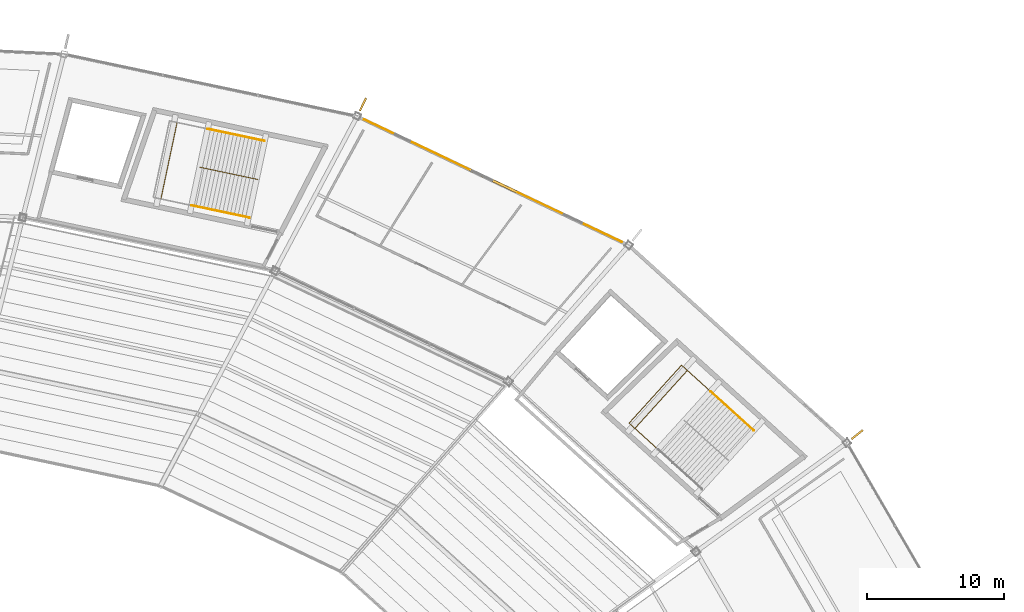
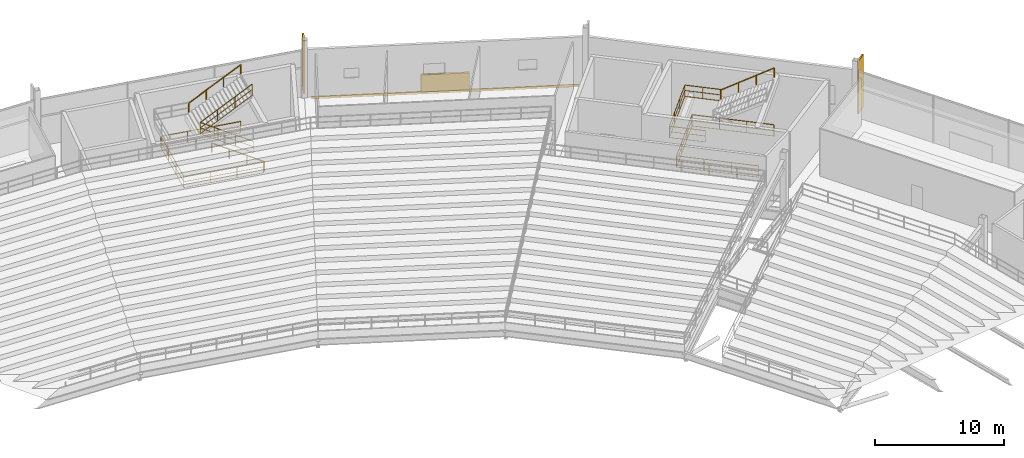
# One storey, part 186 of 186: 7 railings, 3 shading devices, 1 covering.
"""IFC4 building model written with IfcOpenShell, lengths in metres."""

from ifc_helpers import new_model, si_unit, direction, frame, origin, origin_2d, place, context, subcontext, project, spatial, rectangle, extrude, material, layer, layer_set, type_object, element, save


model = new_model("IFC4")

# Units and contexts
model_context = context("Model", 3, precision=1e-05, world=origin(), true_north=direction((0.0, 1.0)))
body_context = subcontext(model_context, "Body", "Model", "MODEL_VIEW")
ifc_project = project(units=[si_unit("LENGTHUNIT", "METRE"), si_unit("AREAUNIT", "SQUARE_METRE"), si_unit("VOLUMEUNIT", "CUBIC_METRE"), si_unit("PLANEANGLEUNIT", "RADIAN"), si_unit("MASSUNIT", "GRAM", prefix="KILO")], contexts=[model_context])

# Site, building, storey
site_placement = place(None, origin())
site = spatial("IfcSite", under=ifc_project, at=site_placement, CompositionType="ELEMENT")
building_placement = place(site_placement, origin())
building = spatial("IfcBuilding", under=site, at=building_placement, Name="Kazemori Nagisa Stadium", CompositionType="ELEMENT")
storey_placement = place(building_placement, frame((0.0, 0.0, 20.39990234375)))
storey = spatial("IfcBuildingStorey", under=building, at=storey_placement, Name="L04", CompositionType="ELEMENT", Elevation=20.39990234375)

# Covering
ifc_material_1 = material(Name="Anodised aluminium 6063-T5", Category="aluminium")
ifc_layer = layer(ifc_material_1, 0.034912109375, Name="Anodised aluminium 6063-T5", Category="aluminium")
ifc_layer_set = layer_set([ifc_layer], Name="Anodised aluminium 6063-T5")
covering_type = type_object("IfcCoveringType", Name="Covering_CLAD", PredefinedType="CLADDING", material=ifc_layer_set)
covering_placement = place(storey_placement, frame((175.701416015625, 177.76171875, -0.259765625), z_axis=(0.0, 0.0, 1.0), x_axis=(-0.903215892654, 0.429186499388, 0.0)))
element("IfcCovering", 1, at=covering_placement, inside=storey, type_object=covering_type, Name="Anodised fascia cladding L04-B05", PredefinedType="CLADDING", context=body_context, shape_type="SweptSolid", body=[
    extrude(rectangle(XDim=20.814208984375, YDim=0.0400390625, at=origin_2d()), origin(), (0.0, 0.0, 1.0), 0.260009765625),
])

# Shading devices
ifc_material_2 = material(Name="Aluminium 6063-T5 anodised", Category="aluminium")
shading_device_type_1 = type_object("IfcShadingDeviceType", Name="Fin_FN03", PredefinedType="USERDEFINED", material=ifc_material_2)
for number, where, z_axis, x_axis, name in (
    (2, (202.241943359375, 159.26318359375, 0.0), (0.0, 0.0, 1.0), (0.781831482473, 0.623489801853, 0.0), "Aerodynamic wave shading fin L04-04"),
    (3, (166.218994140625, 183.32470703125, 0.0), (0.0, 0.0, 1.0), (0.433883739113, 0.900968867905, 0.0), "Aerodynamic wave shading fin L04-06"),
):
    element("IfcShadingDevice", number, at=place(storey_placement, frame(where, z_axis=z_axis, x_axis=x_axis)), inside=storey, type_object=shading_device_type_1, Name=name, ObjectType="FIN", PredefinedType="USERDEFINED", context=body_context, shape_type="SweptSolid", body=[
        extrude(rectangle(XDim=1.050048828125, YDim=0.139892578125, at=origin_2d()), origin(), (0.0, 0.0, 1.0), 5.0),
    ])
shading_device_type_2 = type_object("IfcShadingDeviceType", Name="Louvre_LV02", PredefinedType="JALOUSIE", material=ifc_material_2)
shading_device_placement = place(storey_placement, frame((175.701416015625, 177.76171875, -0.010009765625), z_axis=(0.0, 0.0, 1.0), x_axis=(-0.903215892654, 0.429186499388, 0.0)))
element("IfcShadingDevice", 4, at=shading_device_placement, inside=storey, type_object=shading_device_type_2, Name="Concourse ventilation louvre L04-B05", PredefinedType="JALOUSIE", context=body_context, shape_type="SweptSolid", body=[
    extrude(rectangle(XDim=3.800048828125, YDim=0.179931640625, at=origin_2d()), origin(), (0.0, 0.0, 1.0), 1.60009765625),
])

# Railings
ifc_material_3 = material(Name="Galvanised powder-coated steel", Category="steel")
railing_type_1 = type_object("IfcRailingType", Name="Rail_GUARD", PredefinedType="GUARDRAIL", material=ifc_material_3)
railing_1_placement = place(storey_placement, frame((190.87646484375, 155.334228515625, 0.0)))
element("IfcRailing", 5, at=railing_1_placement, inside=storey, type_object=railing_type_1, Name="Stair well perimeter guard ST01-L04", PredefinedType="GUARDRAIL", context=body_context, shape_type="SweptSolid", body=[
    extrude(rectangle(XDim=0.050048828125, YDim=0.050048828125, at=origin_2d()), frame((0.0, 0.0, 1.09521484375), z_axis=(-0.741348719967, 0.671120015648, 0.0), x_axis=(-0.671120015648, -0.741348719967, 0.0)), (0.0, 0.0, 1.0), 6.525146484375),
    extrude(rectangle(XDim=0.03759765625, YDim=0.03759765625, at=origin_2d()), frame((0.0, 0.0, 0.58251953125), z_axis=(-0.741348719967, 0.671120015648, 0.0), x_axis=(-0.671120015648, -0.741348719967, 0.0)), (0.0, 0.0, 1.0), 6.525146484375),
    extrude(rectangle(XDim=0.03759765625, YDim=0.03759765625, at=origin_2d()), frame((0.0, 0.0, 0.02490234375), z_axis=(-0.741348719967, 0.671120015648, 0.0), x_axis=(-0.671120015648, -0.741348719967, 0.0)), (0.0, 0.0, 1.0), 6.525146484375),
    extrude(rectangle(XDim=0.050048828125, YDim=0.050048828125, at=origin_2d()), frame((-4.83740234375, 4.379150390625, 1.09521484375), z_axis=(0.67113423669, 0.74133584585, 0.0), x_axis=(-0.74133584585, 0.67113423669, 0.0)), (0.0, 0.0, 1.0), 5.699951171875),
    extrude(rectangle(XDim=0.03759765625, YDim=0.03759765625, at=origin_2d()), frame((-4.83740234375, 4.379150390625, 0.58251953125), z_axis=(0.67113423669, 0.74133584585, 0.0), x_axis=(-0.74133584585, 0.67113423669, 0.0)), (0.0, 0.0, 1.0), 5.699951171875),
    extrude(rectangle(XDim=0.03759765625, YDim=0.03759765625, at=origin_2d()), frame((-4.83740234375, 4.379150390625, 0.02490234375), z_axis=(0.67113423669, 0.74133584585, 0.0), x_axis=(-0.74133584585, 0.67113423669, 0.0)), (0.0, 0.0, 1.0), 5.699951171875),
    extrude(rectangle(XDim=0.050048828125, YDim=0.050048828125, at=origin_2d()), frame((-1.011962890625, 8.604736328125, 1.09521484375), z_axis=(0.741350483516, -0.671118067549, 0.0), x_axis=(0.671118067549, 0.741350483516, 0.0)), (0.0, 0.0, 1.0), 6.52490234375),
    extrude(rectangle(XDim=0.03759765625, YDim=0.03759765625, at=origin_2d()), frame((-1.011962890625, 8.604736328125, 0.58251953125), z_axis=(0.741350483516, -0.671118067549, 0.0), x_axis=(0.671118067549, 0.741350483516, 0.0)), (0.0, 0.0, 1.0), 6.52490234375),
    extrude(rectangle(XDim=0.03759765625, YDim=0.03759765625, at=origin_2d()), frame((-1.011962890625, 8.604736328125, 0.02490234375), z_axis=(0.741350483516, -0.671118067549, 0.0), x_axis=(0.671118067549, 0.741350483516, 0.0)), (0.0, 0.0, 1.0), 6.52490234375),
    extrude(rectangle(XDim=0.044921875, YDim=0.044921875, at=origin_2d()), origin(), (0.0, 0.0, 1.0), 1.070068359375),
    extrude(rectangle(XDim=0.044921875, YDim=0.044921875, at=origin_2d()), frame((-1.612548828125, 1.459716796875, 0.0)), (0.0, 0.0, 1.0), 1.070068359375),
    extrude(rectangle(XDim=0.044921875, YDim=0.044921875, at=origin_2d()), frame((-3.224853515625, 2.91943359375, 0.0)), (0.0, 0.0, 1.0), 1.070068359375),
    extrude(rectangle(XDim=0.044921875, YDim=0.044921875, at=origin_2d()), frame((-4.83740234375, 4.379150390625, 0.0)), (0.0, 0.0, 1.0), 1.070068359375),
    extrude(rectangle(XDim=0.044921875, YDim=0.044921875, at=origin_2d()), frame((-3.562255859375, 5.78759765625, 0.0)), (0.0, 0.0, 1.0), 1.070068359375),
    extrude(rectangle(XDim=0.044921875, YDim=0.044921875, at=origin_2d()), frame((-2.287109375, 7.1962890625, 0.0)), (0.0, 0.0, 1.0), 1.070068359375),
    extrude(rectangle(XDim=0.044921875, YDim=0.044921875, at=origin_2d()), frame((-1.011962890625, 8.604736328125, 0.0)), (0.0, 0.0, 1.0), 1.070068359375),
    extrude(rectangle(XDim=0.044921875, YDim=0.044921875, at=origin_2d()), frame((0.600341796875, 7.14501953125, 0.0)), (0.0, 0.0, 1.0), 1.070068359375),
    extrude(rectangle(XDim=0.044921875, YDim=0.044921875, at=origin_2d()), frame((2.212890625, 5.685546875, 0.0)), (0.0, 0.0, 1.0), 1.070068359375),
    extrude(rectangle(XDim=0.044921875, YDim=0.044921875, at=origin_2d()), frame((3.8251953125, 4.225830078125, 0.0)), (0.0, 0.0, 1.0), 1.070068359375),
])
railing_2_placement = place(storey_placement, frame((187.729248046875, 158.18310546875, 2.72021484375)))
element("IfcRailing", 6, at=railing_2_placement, inside=storey, type_object=railing_type_1, Name="Stair landing guard ST01-L04", PredefinedType="GUARDRAIL", context=body_context, shape_type="SweptSolid", body=[
    extrude(rectangle(XDim=0.050048828125, YDim=0.050048828125, at=origin_2d()), frame((0.0, 0.0, 1.09521484375), z_axis=(-0.741314535645, 0.671157775223, 0.0), x_axis=(-0.671157775223, -0.741314535645, 0.0)), (0.0, 0.0, 1.0), 2.85009765625),
    extrude(rectangle(XDim=0.03759765625, YDim=0.03759765625, at=origin_2d()), frame((0.0, 0.0, 0.58251953125), z_axis=(-0.741314535645, 0.671157775223, 0.0), x_axis=(-0.671157775223, -0.741314535645, 0.0)), (0.0, 0.0, 1.0), 2.85009765625),
    extrude(rectangle(XDim=0.03759765625, YDim=0.03759765625, at=origin_2d()), frame((0.0, 0.0, 0.02490234375), z_axis=(-0.741314535645, 0.671157775223, 0.0), x_axis=(-0.671157775223, -0.741314535645, 0.0)), (0.0, 0.0, 1.0), 2.85009765625),
    extrude(rectangle(XDim=0.050048828125, YDim=0.050048828125, at=origin_2d()), frame((-2.11279296875, 1.912841796875, 1.09521484375), z_axis=(0.67113423669, 0.74133584585, 0.0), x_axis=(-0.74133584585, 0.67113423669, 0.0)), (0.0, 0.0, 1.0), 5.699951171875),
    extrude(rectangle(XDim=0.03759765625, YDim=0.03759765625, at=origin_2d()), frame((-2.11279296875, 1.912841796875, 0.58251953125), z_axis=(0.67113423669, 0.74133584585, 0.0), x_axis=(-0.74133584585, 0.67113423669, 0.0)), (0.0, 0.0, 1.0), 5.699951171875),
    extrude(rectangle(XDim=0.03759765625, YDim=0.03759765625, at=origin_2d()), frame((-2.11279296875, 1.912841796875, 0.02490234375), z_axis=(0.67113423669, 0.74133584585, 0.0), x_axis=(-0.74133584585, 0.67113423669, 0.0)), (0.0, 0.0, 1.0), 5.699951171875),
    extrude(rectangle(XDim=0.050048828125, YDim=0.050048828125, at=origin_2d()), frame((1.712646484375, 6.138427734375, 1.09521484375), z_axis=(0.741357156534, -0.671110696127, 0.0), x_axis=(0.671110696127, 0.741357156534, 0.0)), (0.0, 0.0, 1.0), 2.849853515625),
    extrude(rectangle(XDim=0.03759765625, YDim=0.03759765625, at=origin_2d()), frame((1.712646484375, 6.138427734375, 0.58251953125), z_axis=(0.741357156534, -0.671110696127, 0.0), x_axis=(0.671110696127, 0.741357156534, 0.0)), (0.0, 0.0, 1.0), 2.849853515625),
    extrude(rectangle(XDim=0.03759765625, YDim=0.03759765625, at=origin_2d()), frame((1.712646484375, 6.138427734375, 0.02490234375), z_axis=(0.741357156534, -0.671110696127, 0.0), x_axis=(0.671110696127, 0.741357156534, 0.0)), (0.0, 0.0, 1.0), 2.849853515625),
    extrude(rectangle(XDim=0.044921875, YDim=0.044921875, at=origin_2d()), origin(), (0.0, 0.0, 1.0), 1.070068359375),
    extrude(rectangle(XDim=0.044921875, YDim=0.044921875, at=origin_2d()), frame((-1.056396484375, 0.95654296875, 0.0)), (0.0, 0.0, 1.0), 1.070068359375),
    extrude(rectangle(XDim=0.044921875, YDim=0.044921875, at=origin_2d()), frame((-2.11279296875, 1.912841796875, 0.0)), (0.0, 0.0, 1.0), 1.070068359375),
    extrude(rectangle(XDim=0.044921875, YDim=0.044921875, at=origin_2d()), frame((-0.837646484375, 3.3212890625, 0.0)), (0.0, 0.0, 1.0), 1.070068359375),
    extrude(rectangle(XDim=0.044921875, YDim=0.044921875, at=origin_2d()), frame((0.4375, 4.72998046875, 0.0)), (0.0, 0.0, 1.0), 1.070068359375),
    extrude(rectangle(XDim=0.044921875, YDim=0.044921875, at=origin_2d()), frame((1.712646484375, 6.138427734375, 0.0)), (0.0, 0.0, 1.0), 1.070068359375),
    extrude(rectangle(XDim=0.044921875, YDim=0.044921875, at=origin_2d()), frame((2.76904296875, 5.18212890625, 0.0)), (0.0, 0.0, 1.0), 1.070068359375),
    extrude(rectangle(XDim=0.044921875, YDim=0.044921875, at=origin_2d()), frame((3.825439453125, 4.225830078125, 0.0)), (0.0, 0.0, 1.0), 1.070068359375),
])
railing_3_placement = place(storey_placement, frame((157.87890625, 175.08642578125, 0.0)))
element("IfcRailing", 7, at=railing_3_placement, inside=storey, type_object=railing_type_1, Name="Stair well perimeter guard ST11-L04", PredefinedType="GUARDRAIL", context=body_context, shape_type="SweptSolid", body=[
    extrude(rectangle(XDim=0.050048828125, YDim=0.050048828125, at=origin_2d()), frame((0.0, 0.0, 1.09521484375), z_axis=(-0.978344457991, 0.206983384642, 0.0), x_axis=(-0.206983384642, -0.978344457991, 0.0)), (0.0, 0.0, 1.0), 6.525146484375),
    extrude(rectangle(XDim=0.03759765625, YDim=0.03759765625, at=origin_2d()), frame((0.0, 0.0, 0.58251953125), z_axis=(-0.978344457991, 0.206983384642, 0.0), x_axis=(-0.206983384642, -0.978344457991, 0.0)), (0.0, 0.0, 1.0), 6.525146484375),
    extrude(rectangle(XDim=0.03759765625, YDim=0.03759765625, at=origin_2d()), frame((0.0, 0.0, 0.02490234375), z_axis=(-0.978344457991, 0.206983384642, 0.0), x_axis=(-0.206983384642, -0.978344457991, 0.0)), (0.0, 0.0, 1.0), 6.525146484375),
    extrude(rectangle(XDim=0.050048828125, YDim=0.050048828125, at=origin_2d()), frame((-6.3837890625, 1.3505859375, 1.09521484375), z_axis=(0.206960167837, 0.978349369565, 0.0), x_axis=(-0.978349369565, 0.206960167837, 0.0)), (0.0, 0.0, 1.0), 5.699951171875),
    extrude(rectangle(XDim=0.03759765625, YDim=0.03759765625, at=origin_2d()), frame((-6.3837890625, 1.3505859375, 0.58251953125), z_axis=(0.206960167837, 0.978349369565, 0.0), x_axis=(-0.978349369565, 0.206960167837, 0.0)), (0.0, 0.0, 1.0), 5.699951171875),
    extrude(rectangle(XDim=0.03759765625, YDim=0.03759765625, at=origin_2d()), frame((-6.3837890625, 1.3505859375, 0.02490234375), z_axis=(0.206960167837, 0.978349369565, 0.0), x_axis=(-0.978349369565, 0.206960167837, 0.0)), (0.0, 0.0, 1.0), 5.699951171875),
    extrude(rectangle(XDim=0.050048828125, YDim=0.050048828125, at=origin_2d()), frame((-5.2041015625, 6.92724609375, 1.09521484375), z_axis=(0.978344457991, -0.206983384642, 0.0), x_axis=(0.206983384642, 0.978344457991, 0.0)), (0.0, 0.0, 1.0), 6.525146484375),
    extrude(rectangle(XDim=0.03759765625, YDim=0.03759765625, at=origin_2d()), frame((-5.2041015625, 6.92724609375, 0.58251953125), z_axis=(0.978344457991, -0.206983384642, 0.0), x_axis=(0.206983384642, 0.978344457991, 0.0)), (0.0, 0.0, 1.0), 6.525146484375),
    extrude(rectangle(XDim=0.03759765625, YDim=0.03759765625, at=origin_2d()), frame((-5.2041015625, 6.92724609375, 0.02490234375), z_axis=(0.978344457991, -0.206983384642, 0.0), x_axis=(0.206983384642, 0.978344457991, 0.0)), (0.0, 0.0, 1.0), 6.525146484375),
    extrude(rectangle(XDim=0.044921875, YDim=0.044921875, at=origin_2d()), origin(), (0.0, 0.0, 1.0), 1.070068359375),
    extrude(rectangle(XDim=0.044921875, YDim=0.044921875, at=origin_2d()), frame((-2.1279296875, 0.4501953125, 0.0)), (0.0, 0.0, 1.0), 1.070068359375),
    extrude(rectangle(XDim=0.044921875, YDim=0.044921875, at=origin_2d()), frame((-4.255859375, 0.900390625, 0.0)), (0.0, 0.0, 1.0), 1.070068359375),
    extrude(rectangle(XDim=0.044921875, YDim=0.044921875, at=origin_2d()), frame((-6.3837890625, 1.3505859375, 0.0)), (0.0, 0.0, 1.0), 1.070068359375),
    extrude(rectangle(XDim=0.044921875, YDim=0.044921875, at=origin_2d()), frame((-5.990478515625, 3.20947265625, 0.0)), (0.0, 0.0, 1.0), 1.070068359375),
    extrude(rectangle(XDim=0.044921875, YDim=0.044921875, at=origin_2d()), frame((-5.597412109375, 5.068359375, 0.0)), (0.0, 0.0, 1.0), 1.070068359375),
    extrude(rectangle(XDim=0.044921875, YDim=0.044921875, at=origin_2d()), frame((-5.2041015625, 6.92724609375, 0.0)), (0.0, 0.0, 1.0), 1.070068359375),
    extrude(rectangle(XDim=0.044921875, YDim=0.044921875, at=origin_2d()), frame((-3.076171875, 6.47705078125, 0.0)), (0.0, 0.0, 1.0), 1.070068359375),
    extrude(rectangle(XDim=0.044921875, YDim=0.044921875, at=origin_2d()), frame((-0.9482421875, 6.02685546875, 0.0)), (0.0, 0.0, 1.0), 1.070068359375),
    extrude(rectangle(XDim=0.044921875, YDim=0.044921875, at=origin_2d()), frame((1.1796875, 5.57666015625, 0.0)), (0.0, 0.0, 1.0), 1.070068359375),
])
railing_4_placement = place(storey_placement, frame((158.546875, 177.858154296875, 0.0)))
element("IfcRailing", 8, at=railing_4_placement, inside=storey, type_object=railing_type_1, Name="Stair central guard ST11-L04", PredefinedType="GUARDRAIL", context=body_context, shape_type="SweptSolid", body=[
    extrude(rectangle(XDim=0.050048828125, YDim=0.050048828125, at=origin_2d()), frame((0.0, 0.0, 1.09521484375), z_axis=(-0.828150120123, 0.175225116294, 0.532412938573), x_axis=(-0.207003271495, -0.978340250419, 0.0)), (0.0, 0.0, 1.0), 5.109130859375),
    extrude(rectangle(XDim=0.03759765625, YDim=0.03759765625, at=origin_2d()), frame((0.0, 0.0, 0.58251953125), z_axis=(-0.828150120123, 0.175225116294, 0.532412938573), x_axis=(-0.207003271495, -0.978340250419, 0.0)), (0.0, 0.0, 1.0), 5.109130859375),
    extrude(rectangle(XDim=0.03759765625, YDim=0.03759765625, at=origin_2d()), frame((0.0, 0.0, 0.02490234375), z_axis=(-0.828150120123, 0.175225116294, 0.532412938573), x_axis=(-0.207003271495, -0.978340250419, 0.0)), (0.0, 0.0, 1.0), 5.109130859375),
    extrude(rectangle(XDim=0.050048828125, YDim=0.050048828125, at=origin_2d()), frame((-4.231201171875, 0.895263671875, 3.8154296875), z_axis=(0.823751834377, -0.174280339305, 0.539499099806), x_axis=(0.206987174116, 0.978343656264, 0.0)), (0.0, 0.0, 1.0), 5.041748046875),
    extrude(rectangle(XDim=0.03759765625, YDim=0.03759765625, at=origin_2d()), frame((-4.231201171875, 0.895263671875, 3.302734375), z_axis=(0.823751834377, -0.174280339305, 0.539499099806), x_axis=(0.206987174116, 0.978343656264, 0.0)), (0.0, 0.0, 1.0), 5.041748046875),
    extrude(rectangle(XDim=0.03759765625, YDim=0.03759765625, at=origin_2d()), frame((-4.231201171875, 0.895263671875, 2.7451171875), z_axis=(0.823751834377, -0.174280339305, 0.539499099806), x_axis=(0.206987174116, 0.978343656264, 0.0)), (0.0, 0.0, 1.0), 5.041748046875),
    extrude(rectangle(XDim=0.044921875, YDim=0.044921875, at=origin_2d()), origin(), (0.0, 0.0, 1.0), 1.070068359375),
    extrude(rectangle(XDim=0.044921875, YDim=0.044921875, at=origin_2d()), frame((-1.410400390625, 0.29833984375, 0.90673828125)), (0.0, 0.0, 1.0), 1.070068359375),
    extrude(rectangle(XDim=0.044921875, YDim=0.044921875, at=origin_2d()), frame((-2.82080078125, 0.596923828125, 1.8134765625)), (0.0, 0.0, 1.0), 1.070068359375),
    extrude(rectangle(XDim=0.044921875, YDim=0.044921875, at=origin_2d()), frame((-4.231201171875, 0.895263671875, 2.72021484375)), (0.0, 0.0, 1.0), 1.070068359375),
    extrude(rectangle(XDim=0.044921875, YDim=0.044921875, at=origin_2d()), frame((-2.846923828125, 0.602294921875, 3.626953125)), (0.0, 0.0, 1.0), 1.070068359375),
    extrude(rectangle(XDim=0.044921875, YDim=0.044921875, at=origin_2d()), frame((-1.46240234375, 0.3095703125, 4.533447265625)), (0.0, 0.0, 1.0), 1.070068359375),
    extrude(rectangle(XDim=0.044921875, YDim=0.044921875, at=origin_2d()), frame((-0.078125, 0.0166015625, 5.440185546875)), (0.0, 0.0, 1.0), 1.070068359375),
])
ifc_material_4 = material(Name="Stainless steel SUS304", Category="steel")
railing_type_2 = type_object("IfcRailingType", Name="Rail_HAND", PredefinedType="HANDRAIL", material=ifc_material_4)
railing_5_placement = place(storey_placement, frame((191.5546875, 162.408935546875, 2.89013671875)))
element("IfcRailing", 9, at=railing_5_placement, inside=storey, type_object=railing_type_2, Name="Stair handrail ST01-L04-F2", PredefinedType="HANDRAIL", context=body_context, shape_type="SweptSolid", body=[
    extrude(rectangle(XDim=0.050048828125, YDim=0.050048828125, at=origin_2d()), frame((0.0, 0.0, 0.875), z_axis=(0.624200602078, -0.565073454279, 0.539504957933), x_axis=(0.671122625547, 0.741346357298, 0.0)), (0.0, 0.0, 1.0), 5.04150390625),
    extrude(rectangle(XDim=0.044921875, YDim=0.044921875, at=origin_2d()), origin(), (0.0, 0.0, 1.0), 0.849853515625),
    extrude(rectangle(XDim=0.044921875, YDim=0.044921875, at=origin_2d()), frame((1.049072265625, -0.94970703125, 0.90673828125)), (0.0, 0.0, 1.0), 0.849853515625),
    extrude(rectangle(XDim=0.044921875, YDim=0.044921875, at=origin_2d()), frame((2.097900390625, -1.899169921875, 1.813232421875)), (0.0, 0.0, 1.0), 0.849853515625),
    extrude(rectangle(XDim=0.044921875, YDim=0.044921875, at=origin_2d()), frame((3.14697265625, -2.848876953125, 2.719970703125)), (0.0, 0.0, 1.0), 0.849853515625),
])
railing_6_placement = place(storey_placement, frame((157.95703125, 175.070068359375, 0.170166015625)))
element("IfcRailing", 10, at=railing_6_placement, inside=storey, type_object=railing_type_2, Name="Stair handrail ST11-L04-F1", PredefinedType="HANDRAIL", context=body_context, shape_type="SweptSolid", body=[
    extrude(rectangle(XDim=0.050048828125, YDim=0.050048828125, at=origin_2d()), frame((0.0, 0.0, 0.875), z_axis=(-0.828178122726, 0.175183255318, 0.532383155345), x_axis=(-0.206949239158, -0.978351681356, 0.0)), (0.0, 0.0, 1.0), 5.109130859375),
    extrude(rectangle(XDim=0.044921875, YDim=0.044921875, at=origin_2d()), origin(), (0.0, 0.0, 1.0), 0.849853515625),
    extrude(rectangle(XDim=0.044921875, YDim=0.044921875, at=origin_2d()), frame((-1.410400390625, 0.29833984375, 0.90673828125)), (0.0, 0.0, 1.0), 0.849853515625),
    extrude(rectangle(XDim=0.044921875, YDim=0.044921875, at=origin_2d()), frame((-2.82080078125, 0.5966796875, 1.813232421875)), (0.0, 0.0, 1.0), 0.849853515625),
    extrude(rectangle(XDim=0.044921875, YDim=0.044921875, at=origin_2d()), frame((-4.231201171875, 0.89501953125, 2.719970703125)), (0.0, 0.0, 1.0), 0.849853515625),
])
railing_7_placement = place(storey_placement, frame((154.905517578125, 181.541748046875, 2.89013671875)))
element("IfcRailing", 11, at=railing_7_placement, inside=storey, type_object=railing_type_2, Name="Stair handrail ST11-L04-F2", PredefinedType="HANDRAIL", context=body_context, shape_type="SweptSolid", body=[
    extrude(rectangle(XDim=0.050048828125, YDim=0.050048828125, at=origin_2d()), frame((0.0, 0.0, 0.875), z_axis=(0.823751834377, -0.174280339305, 0.539499099806), x_axis=(0.206987174116, 0.978343656264, 0.0)), (0.0, 0.0, 1.0), 5.041748046875),
    extrude(rectangle(XDim=0.044921875, YDim=0.044921875, at=origin_2d()), origin(), (0.0, 0.0, 1.0), 0.849853515625),
    extrude(rectangle(XDim=0.044921875, YDim=0.044921875, at=origin_2d()), frame((1.38427734375, -0.29296875, 0.90673828125)), (0.0, 0.0, 1.0), 0.849853515625),
    extrude(rectangle(XDim=0.044921875, YDim=0.044921875, at=origin_2d()), frame((2.768798828125, -0.585693359375, 1.813232421875)), (0.0, 0.0, 1.0), 0.849853515625),
    extrude(rectangle(XDim=0.044921875, YDim=0.044921875, at=origin_2d()), frame((4.153076171875, -0.878662109375, 2.719970703125)), (0.0, 0.0, 1.0), 0.849853515625),
])

save(model, "model.ifc")
